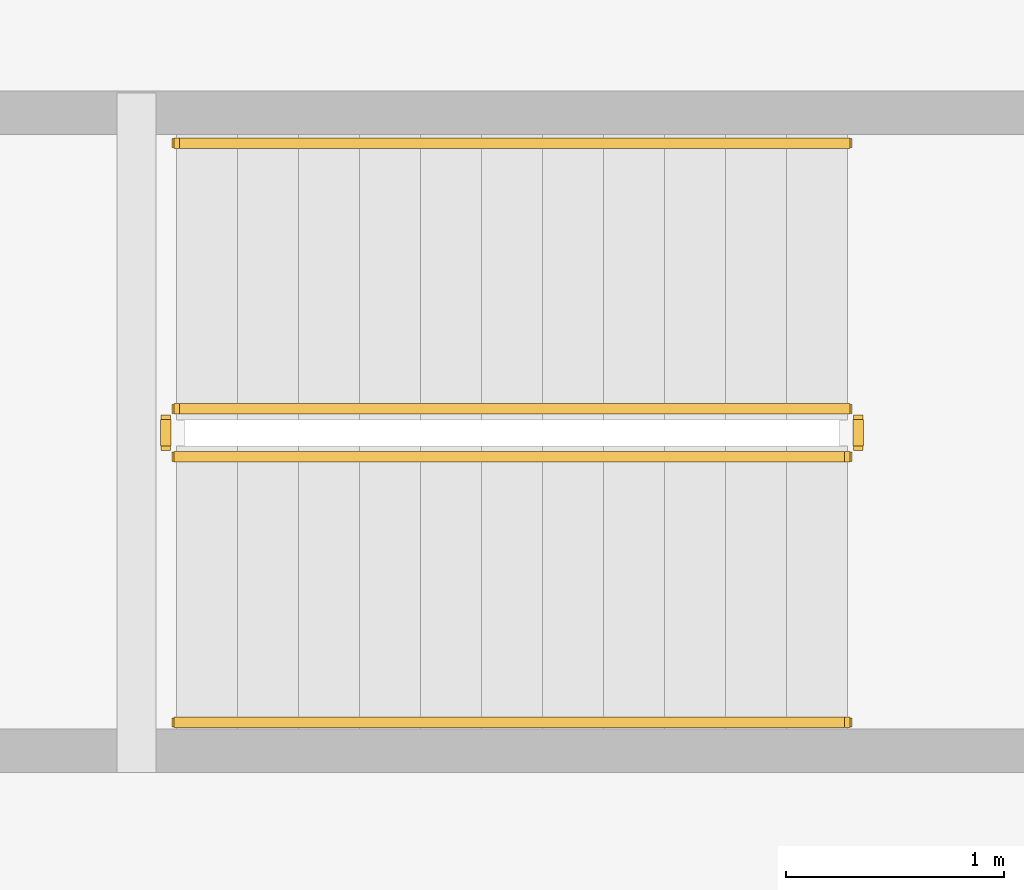
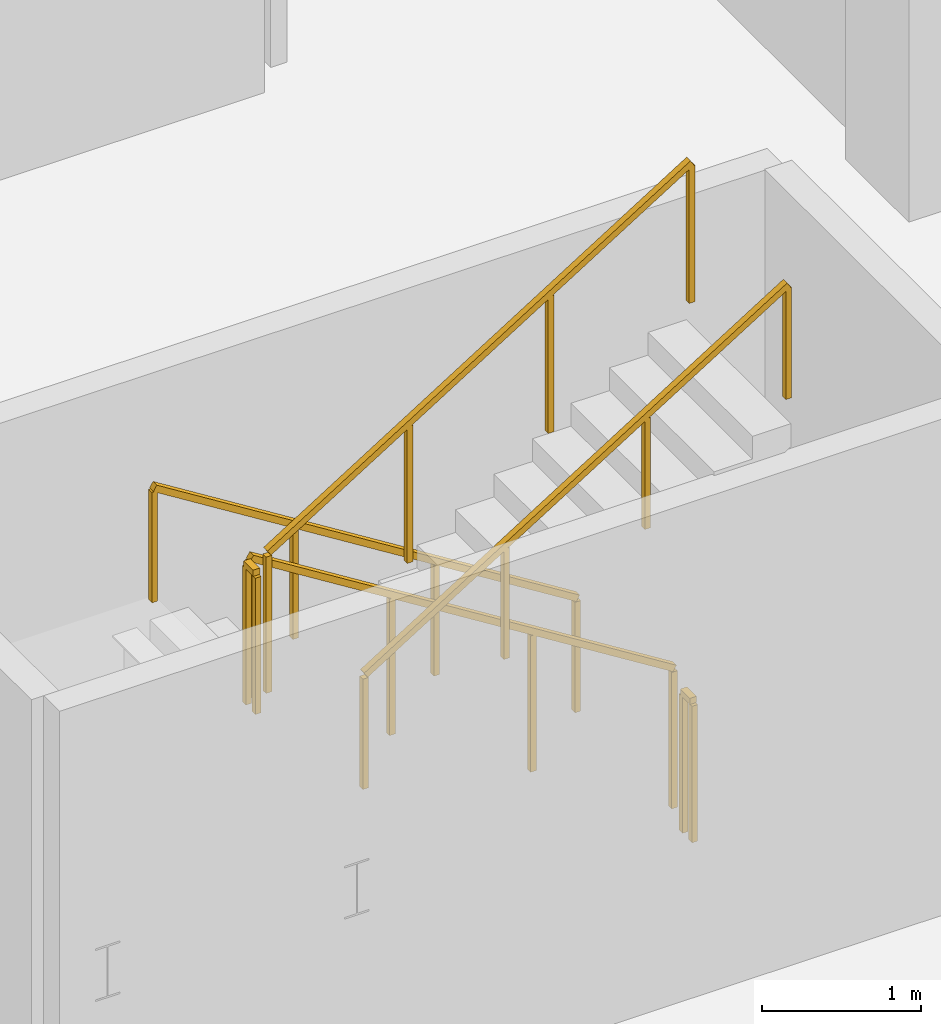
# One storey, part 17 of 21: 6 railings.
"""IFC4 building model written with IfcOpenShell, lengths in metres."""

import ifcopenshell
import ifcopenshell.guid

model = None  # the IFC model being written
_history = None  # IfcOwnerHistory: only IFC2X3 demands one
_inside = {}  # id of a spatial element -> (the spatial element, [elements in it])
_under = {}  # id of a project, library or spatial element -> (it, [spatial elements below it])
_declared = {}  # id of a project -> (the project, [libraries it declares])
_typed = {}  # id of a type object -> (the type object, [elements of that type])
_made_of = {}  # id of a material, layer set ... -> (it, [elements and type objects made of it])


def new_model(schema):
    """Start an empty IFC model of exactly this schema.

    Asked for "IFC4X3", IfcOpenShell would pick the latest addendum, in which some entities
    have other attributes; the version numbers below select the first issue.
    IFC2X3 requires an IfcOwnerHistory on every rooted entity: one is made here for all.
    """
    global model, _history
    if schema == "IFC4X3":
        model = ifcopenshell.file(schema_version=(4, 3, 0, 0))
    else:
        model = ifcopenshell.file(schema=schema)
    _inside.clear()
    _under.clear()
    _declared.clear()
    _typed.clear()
    _made_of.clear()
    _history = None
    if model.schema == "IFC2X3":
        org = make("IfcOrganization", Name="unknown")
        user = make(
            "IfcPersonAndOrganization",
            ThePerson=make("IfcPerson", FamilyName="unknown"),
            TheOrganization=org,
        )
        app = make(
            "IfcApplication",
            ApplicationDeveloper=org,
            Version="unknown",
            ApplicationFullName="unknown",
            ApplicationIdentifier="unknown",
        )
        _history = make(
            "IfcOwnerHistory",
            OwningUser=user,
            OwningApplication=app,
            ChangeAction="ADDED",
            CreationDate=0,
        )
    return model


def make(cls, **values):
    """One entity of the class cls with the attributes given. An attribute that is None is left unset."""
    return model.create_entity(
        cls, **{name: value for name, value in values.items() if value is not None}
    )


def rooted(cls, **values):
    """An entity with a GlobalId (a new one), such as an element, a storey or a relation."""
    return make(cls, GlobalId=ifcopenshell.guid.new(), OwnerHistory=_history, **values)


def si_unit(unit_type, name, prefix=None):
    """IfcSIUnit, for example si_unit("LENGTHUNIT", "METRE", prefix="MILLI")."""
    return make("IfcSIUnit", UnitType=unit_type, Prefix=prefix, Name=name)


def assignment(units):
    """IfcUnitAssignment: the units of a project."""
    return None if units is None else make("IfcUnitAssignment", Units=units)


def point(xyz):
    """IfcCartesianPoint."""
    return None if xyz is None else make("IfcCartesianPoint", Coordinates=xyz)


def direction(xyz):
    """IfcDirection."""
    return None if xyz is None else make("IfcDirection", DirectionRatios=xyz)


def frame(location, z_axis=None, x_axis=None):
    """IfcAxis2Placement3D, a coordinate frame: its origin and axes. An axis left out is left unset."""
    return make(
        "IfcAxis2Placement3D",
        Location=point(location),
        Axis=direction(z_axis),
        RefDirection=direction(x_axis),
    )


def frame_2d(location, x_axis=None):
    """IfcAxis2Placement2D, a coordinate frame in the plane: its origin and x axis."""
    return make(
        "IfcAxis2Placement2D", Location=point(location), RefDirection=direction(x_axis)
    )


def origin():
    """The frame at (0, 0, 0) with its axes left unset."""
    return frame((0.0, 0.0, 0.0))


def origin_2d():
    """The frame at (0, 0) in the plane with its x axis left unset."""
    return frame_2d((0.0, 0.0))


def place(relative_to, where):
    """IfcLocalPlacement: puts the frame where relative to a parent placement (None: the world)."""
    return make(
        "IfcLocalPlacement", PlacementRelTo=relative_to, RelativePlacement=where
    )


def context(
    kind, dimensions, precision=None, world=None, true_north=None, identifier=None
):
    """IfcGeometricRepresentationContext, for example the 3D "Model" context."""
    return make(
        "IfcGeometricRepresentationContext",
        ContextIdentifier=identifier,
        ContextType=kind,
        CoordinateSpaceDimension=dimensions,
        Precision=precision,
        WorldCoordinateSystem=world,
        TrueNorth=true_north,
    )


def subcontext(parent, identifier, kind, view, scale=None):
    """IfcGeometricRepresentationSubContext, for example "Body" below "Model"."""
    return make(
        "IfcGeometricRepresentationSubContext",
        ContextIdentifier=identifier,
        ContextType=kind,
        ParentContext=parent,
        TargetScale=scale,
        TargetView=view,
    )


def project(units=None, contexts=None):
    """IfcProject with its units and contexts."""
    return rooted(
        "IfcProject",
        Name="project",
        RepresentationContexts=contexts,
        UnitsInContext=assignment(units),
    )


def spatial(cls, under=None, at=None, **own):
    """A site, building, storey or space (cls), placed at a placement, below another one or the project."""
    s = rooted(cls, ObjectPlacement=at, **own)
    if under is not None:
        _under.setdefault(under.id(), (under, []))[1].append(s)
    return s


def profile(cls, at=None, kind="AREA", **sizes):
    """A parametric profile (cls). Its sizes go by their IFC names, for example OverallWidth=200.0."""
    return make(cls, ProfileType=kind, Position=at, **sizes)


def rectangle(**sizes):
    """IfcRectangleProfileDef."""
    return profile("IfcRectangleProfileDef", **sizes)


def extrude(swept, where, along, depth):
    """IfcExtrudedAreaSolid: the profile swept, set in the frame where, extruded along a direction by depth."""
    return make(
        "IfcExtrudedAreaSolid",
        SweptArea=swept,
        Position=where,
        ExtrudedDirection=direction(along),
        Depth=depth,
    )


def shape(context_of_items, identifier, shape_type, items):
    """IfcShapeRepresentation: the items that make up one representation, for example the "Body"."""
    return make(
        "IfcShapeRepresentation",
        ContextOfItems=context_of_items,
        RepresentationIdentifier=identifier,
        RepresentationType=shape_type,
        Items=items,
    )


def material(Name=None, Category=None):
    """IfcMaterial."""
    return make("IfcMaterial", Name=Name, Category=Category)


def made_of(thing, what):
    """Note that an element or type object is made of a material, layer set ...; save() writes the relation."""
    if what is not None:
        _made_of.setdefault(what.id(), (what, []))[1].append(thing)
    return thing


def type_object(cls, material=None, **own):
    """A type object (cls), such as IfcWallType, which elements share."""
    return made_of(rooted(cls, **own), material)


def element(
    cls,
    number,
    at=None,
    inside=None,
    cuts=None,
    type_object=None,
    material=None,
    context=None,
    identifier="Body",
    shape_type=None,
    held_by="IfcProductDefinitionShape",
    body=None,
    shapes=None,
    **own,
):
    """One element of the class cls, such as IfcWall. Its Tag is "e" and its number.

    at: its placement. inside: the storey or other place that contains it. cuts: it is an
    opening in that element (IfcRelVoidsElement). A single representation is given by context,
    identifier, shape_type and body (its items); several are given by shapes. held_by: the class
    of the entity that holds the representations. save() writes the other relations.
    """
    e = rooted(cls, Tag="e%d" % number, ObjectPlacement=at, **own)
    if body is not None:
        shapes = [shape(context, identifier, shape_type, body)]
    if shapes is not None:
        e.Representation = make(held_by, Representations=shapes)
    if inside is not None:
        _inside.setdefault(inside.id(), (inside, []))[1].append(e)
    if cuts is not None:
        rooted(
            "IfcRelVoidsElement", RelatingBuildingElement=cuts, RelatedOpeningElement=e
        )
    if type_object is not None:
        _typed.setdefault(type_object.id(), (type_object, []))[1].append(e)
    return made_of(e, material)


def aggregate(whole, parts):
    """IfcRelAggregates: a whole, such as a stair, and the parts it consists of."""
    return rooted("IfcRelAggregates", RelatingObject=whole, RelatedObjects=parts)


def save(model, path):
    """Write the relations noted so far, then the file.

    IfcRelAggregates (storeys below a building ...), IfcRelContainedInSpatialStructure (elements
    in a storey), IfcRelDefinesByType, IfcRelAssociatesMaterial and IfcRelDeclares: one each for
    every whole, place, type object, material and project.
    """
    for whole, parts in _under.values():
        aggregate(whole, parts)
    for where, things in _inside.values():
        rooted(
            "IfcRelContainedInSpatialStructure",
            RelatedElements=things,
            RelatingStructure=where,
        )
    for kind, things in _typed.values():
        rooted("IfcRelDefinesByType", RelatedObjects=things, RelatingType=kind)
    for what, things in _made_of.values():
        rooted("IfcRelAssociatesMaterial", RelatedObjects=things, RelatingMaterial=what)
    for by, libraries in _declared.values():
        rooted("IfcRelDeclares", RelatingContext=by, RelatedDefinitions=libraries)
    model.write(path)


model = new_model("IFC4")

# Units and contexts
model_context = context("Model", 3, precision=1e-05, world=origin(), true_north=direction((0.0, 1.0)))
body_context = subcontext(model_context, "Body", "Model", "MODEL_VIEW")
ifc_project = project(units=[si_unit("LENGTHUNIT", "METRE"), si_unit("AREAUNIT", "SQUARE_METRE"), si_unit("VOLUMEUNIT", "CUBIC_METRE"), si_unit("PLANEANGLEUNIT", "RADIAN"), si_unit("MASSUNIT", "GRAM", prefix="KILO")], contexts=[model_context])

# Site, building, storey
site_placement = place(None, origin())
site = spatial("IfcSite", under=ifc_project, at=site_placement, CompositionType="ELEMENT")
building_placement = place(site_placement, origin())
building = spatial("IfcBuilding", under=site, at=building_placement, Name="Qhalaya Broadcast Tower", CompositionType="ELEMENT")
storey_placement = place(building_placement, frame((0.0, 0.0, 17.699951171875)))
storey = spatial("IfcBuildingStorey", under=building, at=storey_placement, Name="L04", CompositionType="ELEMENT", Elevation=17.699951171875)

# Railings
ifc_material = material(Name="Powder-Coated Galvanised Steel", Category="steel")
railing_type_1 = type_object("IfcRailingType", Name="Stair Wall Handrail 900", PredefinedType="HANDRAIL", material=ifc_material)
railing_1_placement = place(storey_placement, frame((-14.39990234375, -0.389892578125, 0.175048828125)))
element("IfcRailing", 1, at=railing_1_placement, inside=storey, type_object=railing_type_1, Name="L04 ST-P1 Stair Handrail 1", PredefinedType="HANDRAIL", context=body_context, shape_type="SweptSolid", body=[
    extrude(rectangle(XDim=0.048095703125, YDim=0.048095703125, at=origin_2d()), frame((0.0, 0.0, 0.8759765625), z_axis=(-0.847998304005, 0.0, 0.529998940003), x_axis=(0.0, -1.0, 0.0)), (0.0, 0.0, 1.0), 3.632080078125),
    extrude(rectangle(XDim=0.0419921875, YDim=0.0419921875, at=origin_2d()), origin(), (0.0, 0.0, 1.0), 0.849853515625),
    extrude(rectangle(XDim=0.0419921875, YDim=0.0419921875, at=origin_2d()), frame((-1.026611328125, 0.0, 0.6416015625)), (0.0, 0.0, 1.0), 0.849853515625),
    extrude(rectangle(XDim=0.0419921875, YDim=0.0419921875, at=origin_2d()), frame((-2.053466796875, 0.0, 1.283447265625)), (0.0, 0.0, 1.0), 0.849853515625),
    extrude(rectangle(XDim=0.0419921875, YDim=0.0419921875, at=origin_2d()), frame((-3.080078125, 0.0, 1.925048828125)), (0.0, 0.0, 1.0), 0.849853515625),
])
railing_2_placement = place(storey_placement, frame((-17.47998046875, -3.050048828125, 2.275146484375)))
element("IfcRailing", 2, at=railing_2_placement, inside=storey, type_object=railing_type_1, Name="L04 ST-P1 Stair Handrail 2", PredefinedType="HANDRAIL", context=body_context, shape_type="SweptSolid", body=[
    extrude(rectangle(XDim=0.048095703125, YDim=0.048095703125, at=origin_2d()), frame((0.0, 0.0, 0.8759765625), z_axis=(0.848028513186, 0.0, 0.529950602248), x_axis=(0.0, 1.0, 0.0)), (0.0, 0.0, 1.0), 3.632080078125),
    extrude(rectangle(XDim=0.0419921875, YDim=0.0419921875, at=origin_2d()), origin(), (0.0, 0.0, 1.0), 0.849853515625),
    extrude(rectangle(XDim=0.0419921875, YDim=0.0419921875, at=origin_2d()), frame((1.026611328125, 0.0, 0.6416015625)), (0.0, 0.0, 1.0), 0.849853515625),
    extrude(rectangle(XDim=0.0419921875, YDim=0.0419921875, at=origin_2d()), frame((2.053466796875, 0.0, 1.283203125)), (0.0, 0.0, 1.0), 0.849853515625),
    extrude(rectangle(XDim=0.0419921875, YDim=0.0419921875, at=origin_2d()), frame((3.080078125, 0.0, 1.9248046875)), (0.0, 0.0, 1.0), 0.849853515625),
])
railing_type_2 = type_object("IfcRailingType", Name="Stair Well & Landing Guardrail 1100", PredefinedType="GUARDRAIL", material=ifc_material)
railing_3_placement = place(storey_placement, frame((-14.39990234375, -1.610107421875, 0.175048828125)))
element("IfcRailing", 3, at=railing_3_placement, inside=storey, type_object=railing_type_2, Name="L04 ST-P1 Stair Guard 1", PredefinedType="GUARDRAIL", context=body_context, shape_type="SweptSolid", body=[
    extrude(rectangle(XDim=0.048095703125, YDim=0.048095703125, at=origin_2d()), frame((0.0, 0.0, 1.076171875), z_axis=(-0.847998304005, 0.0, 0.529998940003), x_axis=(0.0, -1.0, 0.0)), (0.0, 0.0, 1.0), 3.632080078125),
    extrude(rectangle(XDim=0.0419921875, YDim=0.0419921875, at=origin_2d()), origin(), (0.0, 0.0, 1.0), 1.050048828125),
    extrude(rectangle(XDim=0.0419921875, YDim=0.0419921875, at=origin_2d()), frame((-1.026611328125, 0.0, 0.6416015625)), (0.0, 0.0, 1.0), 1.050048828125),
    extrude(rectangle(XDim=0.0419921875, YDim=0.0419921875, at=origin_2d()), frame((-2.053466796875, 0.0, 1.283447265625)), (0.0, 0.0, 1.0), 1.050048828125),
    extrude(rectangle(XDim=0.0419921875, YDim=0.0419921875, at=origin_2d()), frame((-3.080078125, 0.0, 1.925048828125)), (0.0, 0.0, 1.0), 1.050048828125),
])
railing_4_placement = place(storey_placement, frame((-17.530029296875, -1.659912109375, 2.10009765625)))
element("IfcRailing", 4, at=railing_4_placement, inside=storey, type_object=railing_type_2, Name="L04 ST-P1 Stair Guard 2", PredefinedType="GUARDRAIL", context=body_context, shape_type="SweptSolid", body=[
    extrude(rectangle(XDim=0.048095703125, YDim=0.048095703125, at=origin_2d()), frame((0.0, 0.0, 1.076171875), z_axis=(0.0, -1.0, 0.0), x_axis=(1.0, 0.0, 0.0)), (0.0, 0.0, 1.0), 0.1201171875),
    extrude(rectangle(XDim=0.0419921875, YDim=0.0419921875, at=origin_2d()), origin(), (0.0, 0.0, 1.0), 1.050048828125),
    extrude(rectangle(XDim=0.0419921875, YDim=0.0419921875, at=origin_2d()), frame((0.0, -0.1201171875, 0.0)), (0.0, 0.0, 1.0), 1.050048828125),
])
railing_5_placement = place(storey_placement, frame((-17.47998046875, -1.830078125, 2.275146484375)))
element("IfcRailing", 5, at=railing_5_placement, inside=storey, type_object=railing_type_2, Name="L04 ST-P1 Stair Guard 3", PredefinedType="GUARDRAIL", context=body_context, shape_type="SweptSolid", body=[
    extrude(rectangle(XDim=0.048095703125, YDim=0.048095703125, at=origin_2d()), frame((0.0, 0.0, 1.076171875), z_axis=(0.848028513186, 0.0, 0.529950602248), x_axis=(0.0, 1.0, 0.0)), (0.0, 0.0, 1.0), 3.632080078125),
    extrude(rectangle(XDim=0.0419921875, YDim=0.0419921875, at=origin_2d()), origin(), (0.0, 0.0, 1.0), 1.050048828125),
    extrude(rectangle(XDim=0.0419921875, YDim=0.0419921875, at=origin_2d()), frame((1.026611328125, 0.0, 0.6416015625)), (0.0, 0.0, 1.0), 1.050048828125),
    extrude(rectangle(XDim=0.0419921875, YDim=0.0419921875, at=origin_2d()), frame((2.053466796875, 0.0, 1.283203125)), (0.0, 0.0, 1.0), 1.050048828125),
    extrude(rectangle(XDim=0.0419921875, YDim=0.0419921875, at=origin_2d()), frame((3.080078125, 0.0, 1.9248046875)), (0.0, 0.0, 1.0), 1.050048828125),
])
railing_6_placement = place(storey_placement, frame((-14.35009765625, -1.659912109375, 0.0)))
element("IfcRailing", 6, at=railing_6_placement, inside=storey, type_object=railing_type_2, Name="L04 ST-P1 Stair Guard 4", PredefinedType="GUARDRAIL", context=body_context, shape_type="SweptSolid", body=[
    extrude(rectangle(XDim=0.048095703125, YDim=0.048095703125, at=origin_2d()), frame((0.0, 0.0, 1.076171875), z_axis=(0.0, -1.0, 0.0), x_axis=(1.0, 0.0, 0.0)), (0.0, 0.0, 1.0), 0.1201171875),
    extrude(rectangle(XDim=0.0419921875, YDim=0.0419921875, at=origin_2d()), origin(), (0.0, 0.0, 1.0), 1.050048828125),
    extrude(rectangle(XDim=0.0419921875, YDim=0.0419921875, at=origin_2d()), frame((0.0, -0.1201171875, 0.0)), (0.0, 0.0, 1.0), 1.050048828125),
])

save(model, "model.ifc")
